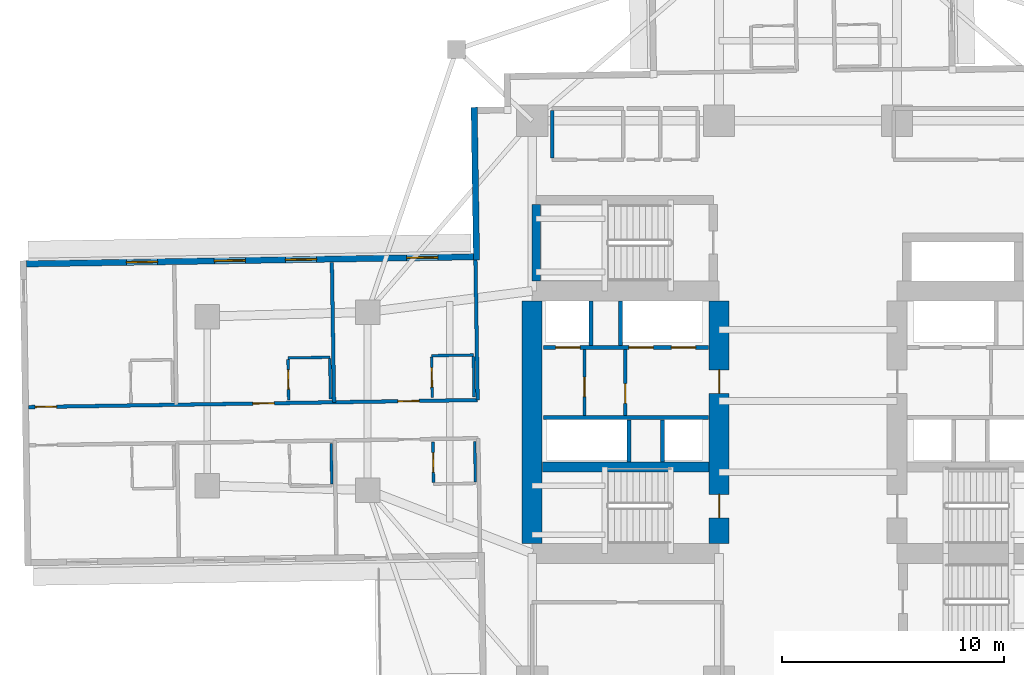
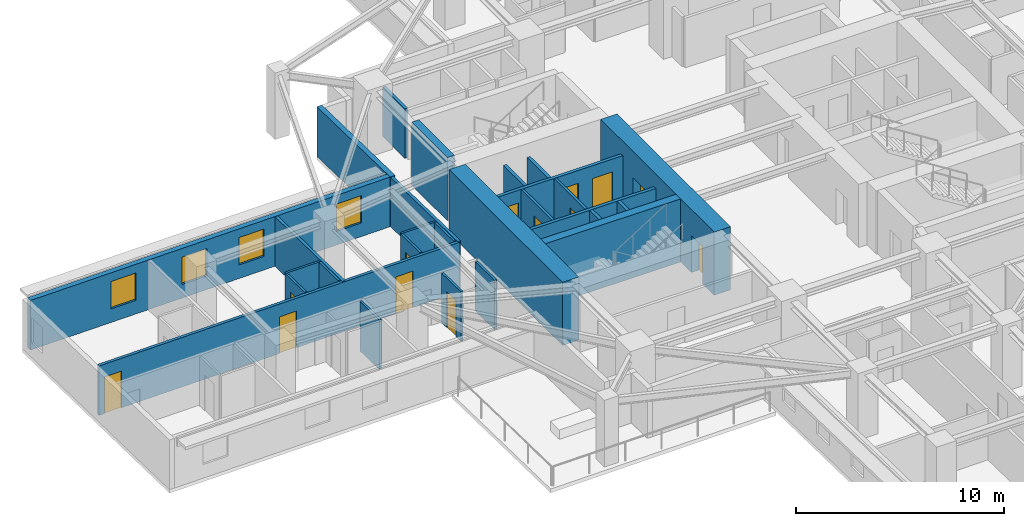
# One storey, part 5 of 14: 27 walls, 13 doors, 4 windows, 17 openings.
"""IFC4 building model written with IfcOpenShell, lengths in metres."""

from ifc_helpers import new_model, si_unit, direction, frame, frame_2d, origin, place, context, subcontext, project, spatial, rectangle, extrude, material, layer, layer_set, type_object, element, fill, save


model = new_model("IFC4")

# Units and contexts
model_context = context("Model", 3, precision=1e-05, world=origin(), true_north=direction((0.0, 1.0)))
body_context = subcontext(model_context, "Body", "Model", "MODEL_VIEW")
ifc_project = project(units=[si_unit("LENGTHUNIT", "METRE"), si_unit("AREAUNIT", "SQUARE_METRE"), si_unit("VOLUMEUNIT", "CUBIC_METRE"), si_unit("PLANEANGLEUNIT", "RADIAN"), si_unit("MASSUNIT", "GRAM", prefix="KILO")], contexts=[model_context])

# Site, building, storey
site_placement = place(None, origin())
site = spatial("IfcSite", under=ifc_project, at=site_placement, CompositionType="ELEMENT")
building_placement = place(site_placement, origin())
building = spatial("IfcBuilding", under=site, at=building_placement, Name="Qingluan Cross Belvedere", CompositionType="ELEMENT")
storey_placement = place(building_placement, frame((0.0, 0.0, 60.0)))
storey = spatial("IfcBuildingStorey", under=building, at=storey_placement, Name="L15", CompositionType="ELEMENT", Elevation=60.0)

# Walls
ifc_material_1 = material(Name="Concrete C50", Category="concrete")
ifc_layer_1 = layer(ifc_material_1, 0.449951171875, Name="CoreShearWall_450")
ifc_layer_set_1 = layer_set([ifc_layer_1], Name="Concrete C50")
wall_type_1 = type_object("IfcWallType", Name="CoreShearWall_450", PredefinedType="SHEAR", material=ifc_layer_set_1)
wall_1_placement = place(storey_placement, frame((-11.945068359375, -2.9599609375, 0.0), z_axis=(0.0, 0.0, 1.0), x_axis=(1.0, 0.0, 0.0)))
element("IfcWall", 1, at=wall_1_placement, inside=storey, type_object=wall_type_1, Name="Split core W shear wall L15-M", PredefinedType="SHEAR", context=body_context, shape_type="SweptSolid", body=[
    extrude(rectangle(XDim=7.489990234375, YDim=0.449951171875, at=frame_2d((3.7451171875, 0.0))), origin(), (0.0, 0.0, 1.0), 3.699951171875),
])
wall_2_placement = place(storey_placement, frame((-12.219970703125, 5.405029296875, 0.0), z_axis=(0.0, 0.0, 1.0), x_axis=(0.0, 1.0, 0.0)))
element("IfcWall", 2, at=wall_2_placement, inside=storey, type_object=wall_type_1, Name="Stair ST3 structural wall W L15", PredefinedType="SHEAR", context=body_context, shape_type="SweptSolid", body=[
    extrude(rectangle(XDim=3.429931640625, YDim=0.39990234375, at=frame_2d((1.71484375, 0.0))), origin(), (0.0, 0.0, 1.0), 3.699951171875),
])
ifc_material_2 = material(Name="Concrete C70", Category="concrete")
ifc_layer_2 = layer(ifc_material_2, 0.89990234375, Name="CoreShearWall_900")
ifc_layer_set_2 = layer_set([ifc_layer_2], Name="Concrete C70")
wall_type_2 = type_object("IfcWallType", Name="CoreShearWall_900", PredefinedType="SHEAR", material=ifc_layer_set_2)
wall_3_placement = place(storey_placement, frame((-12.39990234375, -6.39501953125, 0.0), z_axis=(0.0, 0.0, 1.0), x_axis=(0.0, 1.0, 0.0)))
element("IfcWall", 3, at=wall_3_placement, inside=storey, type_object=wall_type_2, Name="Split core W shear wall L15-W", PredefinedType="SHEAR", context=body_context, shape_type="SweptSolid", body=[
    extrude(rectangle(XDim=10.89013671875, YDim=0.89990234375, at=frame_2d((5.445068359375, 0.0))), origin(), (0.0, 0.0, 1.0), 3.699951171875),
])

# Wall, openings, doors
wall_4_placement = place(storey_placement, frame((-4.0, -6.39501953125, 0.0), z_axis=(0.0, 0.0, 1.0), x_axis=(0.0, 1.0, 0.0)))
wall_4 = element("IfcWall", 4, at=wall_4_placement, inside=storey, type_object=wall_type_2, Name="Split core W shear wall L15-E", PredefinedType="SHEAR", context=body_context, shape_type="SweptSolid", body=[
    extrude(rectangle(XDim=10.89013671875, YDim=0.89990234375, at=frame_2d((5.445068359375, 0.0))), origin(), (0.0, 0.0, 1.0), 3.699951171875),
])
opening_1_placement = place(wall_4_placement, frame((1.14501953125, 0.0, 0.0)))
opening_1 = element("IfcOpeningElement", 5, at=opening_1_placement, cuts=wall_4, Name="Opening FD-B11", PredefinedType="OPENING", context=body_context, shape_type="SweptSolid", body=[
    extrude(rectangle(XDim=1.050048828125, YDim=2.14990234375, at=frame_2d((0.52490234375, 1.074951171875))), frame((0.0, 0.4599609375, 0.0), z_axis=(0.0, -1.0, 0.0), x_axis=(1.0, 0.0, 0.0)), (0.0, 0.0, 1.0), 0.919921875),
])
opening_2_placement = place(wall_4_placement, frame((6.7451171875, 0.0, 0.0)))
opening_2 = element("IfcOpeningElement", 6, at=opening_2_placement, cuts=wall_4, Name="Opening FD-B11", PredefinedType="OPENING", context=body_context, shape_type="SweptSolid", body=[
    extrude(rectangle(XDim=1.050048828125, YDim=2.14990234375, at=frame_2d((0.52490234375, 1.074951171875))), frame((0.0, 0.4599609375, 0.0), z_axis=(0.0, -1.0, 0.0), x_axis=(1.0, 0.0, 0.0)), (0.0, 0.0, 1.0), 0.919921875),
])
ifc_material_3 = material(Name="Steel Class B smoke-seal fire door", Category="steel")
door_type_1 = type_object("IfcDoorType", Name="StairLobbyFireDoor_FDB", OperationType="NOTDEFINED", PredefinedType="DOOR", material=ifc_material_3)
door_1_placement = place(opening_1_placement, origin())
door_1 = element("IfcDoor", 7, at=door_1_placement, inside=storey, type_object=door_type_1, Name="Smoke-proof stair ST1 fire door L15", OperationType="SINGLE_SWING_RIGHT", OverallHeight=2.14990234375, OverallWidth=1.050048828125, PredefinedType="DOOR", context=body_context, shape_type="SweptSolid", body=[
    extrude(rectangle(XDim=1.050048828125, YDim=2.14990234375, at=frame_2d((0.52490234375, 1.074951171875))), frame((0.0, 0.02490234375, 0.0), z_axis=(0.0, -1.0, 0.0), x_axis=(1.0, 0.0, 0.0)), (0.0, 0.0, 1.0), 0.050048828125),
])
fill(opening_1, door_1)
door_2_placement = place(opening_2_placement, origin())
door_2 = element("IfcDoor", 8, at=door_2_placement, inside=storey, type_object=door_type_1, Name="Firefighting lobby West fire door L15", OperationType="SINGLE_SWING_RIGHT", OverallHeight=2.14990234375, OverallWidth=1.050048828125, PredefinedType="DOOR", context=body_context, shape_type="SweptSolid", body=[
    extrude(rectangle(XDim=1.050048828125, YDim=2.14990234375, at=frame_2d((0.52490234375, 1.074951171875))), frame((0.0, 0.02490234375, 0.0), z_axis=(0.0, -1.0, 0.0), x_axis=(1.0, 0.0, 0.0)), (0.0, 0.0, 1.0), 0.050048828125),
])
fill(opening_2, door_2)

# Wall, opening, door
ifc_material_4 = material(Name="Gypsum plasterboard on steel stud acoustic partition", Category="steel")
ifc_layer_3 = layer(ifc_material_4, 0.159912109375, Name="CorridorPartition_160")
ifc_layer_set_3 = layer_set([ifc_layer_3], Name="Gypsum plasterboard on steel stud acoustic partition")
wall_type_3 = type_object("IfcWallType", Name="CorridorPartition_160", PredefinedType="PARTITIONING", material=ifc_layer_set_3)
wall_5_placement = place(storey_placement, frame((-10.050048828125, -0.652099609375, 0.0), z_axis=(0.0, 0.0, 1.0), x_axis=(0.0, 1.0, 0.0)))
wall_5 = element("IfcWall", 9, at=wall_5_placement, inside=storey, type_object=wall_type_3, Name="Partition L15:wv", PredefinedType="PARTITIONING", context=body_context, shape_type="SweptSolid", body=[
    extrude(rectangle(XDim=2.962158203125, YDim=0.139892578125, at=frame_2d((1.48095703125, 0.0))), origin(), (0.0, 0.0, 1.0), 2.89990234375),
])
opening_3_placement = place(wall_5_placement, frame((0.85009765625, 0.0, 0.0)))
opening_3 = element("IfcOpeningElement", 10, at=opening_3_placement, cuts=wall_5, Name="Opening FD-B10", PredefinedType="OPENING", context=body_context, shape_type="SweptSolid", body=[
    extrude(rectangle(XDim=0.8798828125, YDim=2.10009765625, at=frame_2d((0.43994140625, 1.050048828125))), frame((0.0, 0.079833984375, 0.0), z_axis=(0.0, -1.0, 0.0), x_axis=(1.0, 0.0, 0.0)), (0.0, 0.0, 1.0), 0.159912109375),
])
ifc_material_5 = material(Name="Steel Class B service fire door", Category="steel")
door_type_2 = type_object("IfcDoorType", Name="RiserServiceFireDoor_FDB", OperationType="NOTDEFINED", PredefinedType="DOOR", material=ifc_material_5)
door_3_placement = place(opening_3_placement, origin())
door_3 = element("IfcDoor", 11, at=door_3_placement, inside=storey, type_object=door_type_2, Name="Service closet inner door L15", OperationType="SINGLE_SWING_RIGHT", OverallHeight=2.10009765625, OverallWidth=0.8798828125, PredefinedType="DOOR", context=body_context, shape_type="SweptSolid", body=[
    extrude(rectangle(XDim=0.8798828125, YDim=2.10009765625, at=frame_2d((0.43994140625, 1.050048828125))), frame((0.0, 0.02490234375, 0.0), z_axis=(0.0, -1.0, 0.0), x_axis=(1.0, 0.0, 0.0)), (0.0, 0.0, 1.0), 0.050048828125),
])
fill(opening_3, door_3)

# Wall
wall_6_placement = place(storey_placement, frame((-11.5, 10.93505859375, 0.0), z_axis=(0.0, 0.0, 1.0), x_axis=(0.0, 1.0, 0.0)))
element("IfcWall", 12, at=wall_6_placement, inside=storey, type_object=wall_type_3, Name="Partition L15:q_nw_occ:W", PredefinedType="PARTITIONING", context=body_context, shape_type="SweptSolid", body=[
    extrude(rectangle(XDim=2.1298828125, YDim=0.159912109375, at=frame_2d((1.06494140625, 0.0))), origin(), (0.0, 0.0, 1.0), 2.89990234375),
])

# Wall, openings, doors
wall_7_placement = place(storey_placement, frame((-14.8525390625, 0.046630859375, 0.0), z_axis=(0.0, 0.0, 1.0), x_axis=(-0.999876717676, -0.015701893165, 0.0)))
wall_7 = element("IfcWall", 13, at=wall_7_placement, inside=storey, type_object=wall_type_3, Name="Partition L15:W:c0", PredefinedType="PARTITIONING", context=body_context, shape_type="SweptSolid", body=[
    extrude(rectangle(XDim=20.181884765625, YDim=0.159912109375, at=frame_2d((10.0908203125, 0.0))), origin(), (0.0, 0.0, 1.0), 2.89990234375),
])
opening_4_placement = place(wall_7_placement, frame((2.6259765625, 0.0, 0.0)))
opening_4 = element("IfcOpeningElement", 14, at=opening_4_placement, cuts=wall_7, Name="Opening GD-10", PredefinedType="OPENING", context=body_context, shape_type="SweptSolid", body=[
    extrude(rectangle(XDim=0.9599609375, YDim=2.14990234375, at=frame_2d((0.47998046875, 1.074951171875))), frame((0.0, 0.08984375, 0.0), z_axis=(0.0, -1.0, 0.0), x_axis=(1.0, 0.0, 0.0)), (0.0, 0.0, 1.0), 0.179931640625),
])
opening_5_placement = place(wall_7_placement, frame((9.14306640625, 0.0, 0.0)))
opening_5 = element("IfcOpeningElement", 15, at=opening_5_placement, cuts=wall_7, Name="Opening GD-10", PredefinedType="OPENING", context=body_context, shape_type="SweptSolid", body=[
    extrude(rectangle(XDim=0.9599609375, YDim=2.14990234375, at=frame_2d((0.47998046875, 1.074951171875))), frame((0.0, 0.08984375, 0.0), z_axis=(0.0, -1.0, 0.0), x_axis=(1.0, 0.0, 0.0)), (0.0, 0.0, 1.0), 0.179931640625),
])
opening_6_placement = place(wall_7_placement, frame((18.929931640625, 0.0, 0.0)))
opening_6 = element("IfcOpeningElement", 16, at=opening_6_placement, cuts=wall_7, Name="Opening GD-10", PredefinedType="OPENING", context=body_context, shape_type="SweptSolid", body=[
    extrude(rectangle(XDim=0.9599609375, YDim=2.14990234375, at=frame_2d((0.47998046875, 1.074951171875))), frame((0.0, 0.08984375, 0.0), z_axis=(0.0, -1.0, 0.0), x_axis=(1.0, 0.0, 0.0)), (0.0, 0.0, 1.0), 0.179931640625),
])
ifc_material_6 = material(Name="Timber oak fire-rated acoustic guestroom door", Category="wood")
door_type_3 = type_object("IfcDoorType", Name="GuestEntryDoor_FD60", OperationType="NOTDEFINED", PredefinedType="DOOR", material=ifc_material_6)
door_4_placement = place(opening_4_placement, origin())
door_4 = element("IfcDoor", 17, at=door_4_placement, inside=storey, type_object=door_type_3, Name="Guest entry fire door 1507", OperationType="SINGLE_SWING_LEFT", OverallHeight=2.14990234375, OverallWidth=0.9599609375, PredefinedType="DOOR", context=body_context, shape_type="SweptSolid", body=[
    extrude(rectangle(XDim=0.9599609375, YDim=2.14990234375, at=frame_2d((0.47998046875, 1.074951171875))), frame((0.0, 0.02490234375, 0.0), z_axis=(0.0, -1.0, 0.0), x_axis=(1.0, 0.0, 0.0)), (0.0, 0.0, 1.0), 0.050048828125),
])
fill(opening_4, door_4)
door_5_placement = place(opening_5_placement, origin())
door_5 = element("IfcDoor", 18, at=door_5_placement, inside=storey, type_object=door_type_3, Name="Guest entry fire door 1508", OperationType="SINGLE_SWING_LEFT", OverallHeight=2.14990234375, OverallWidth=0.9599609375, PredefinedType="DOOR", context=body_context, shape_type="SweptSolid", body=[
    extrude(rectangle(XDim=0.9599609375, YDim=2.14990234375, at=frame_2d((0.47998046875, 1.074951171875))), frame((0.0, 0.02490234375, 0.0), z_axis=(0.0, -1.0, 0.0), x_axis=(1.0, 0.0, 0.0)), (0.0, 0.0, 1.0), 0.050048828125),
])
fill(opening_5, door_5)
door_6_placement = place(opening_6_placement, origin())
door_6 = element("IfcDoor", 19, at=door_6_placement, inside=storey, type_object=door_type_3, Name="Guest entry fire door 1509", OperationType="SINGLE_SWING_LEFT", OverallHeight=2.14990234375, OverallWidth=0.9599609375, PredefinedType="DOOR", context=body_context, shape_type="SweptSolid", body=[
    extrude(rectangle(XDim=0.9599609375, YDim=2.14990234375, at=frame_2d((0.47998046875, 1.074951171875))), frame((0.0, 0.02490234375, 0.0), z_axis=(0.0, -1.0, 0.0), x_axis=(1.0, 0.0, 0.0)), (0.0, 0.0, 1.0), 0.050048828125),
])
fill(opening_6, door_6)

# Walls
for number, where, z_axis, x_axis, name in (
    (20, (-14.8525390625, 0.046630859375, 0.0), (0.0, 0.0, 1.0), (-0.01571461794, 0.999876517768, 0.0), "Partition L15:W:s0"),
    (21, (-21.306884765625, -0.0546875, 0.0), (0.0, 0.0, 1.0), (-0.015675825961, 0.999877126691, 0.0), "Partition L15:W:d0_0"),
):
    element("IfcWall", number, at=place(storey_placement, frame(where, z_axis=z_axis, x_axis=x_axis)), inside=storey, type_object=wall_type_3, Name=name, PredefinedType="PARTITIONING", context=body_context, shape_type="SweptSolid", body=[
        extrude(rectangle(XDim=6.2919921875, YDim=0.159912109375, at=frame_2d((3.14599609375, 0.0))), origin(), (0.0, 0.0, 1.0), 2.89990234375),
    ])

# Wall, opening, door
ifc_material_7 = material(Name="Moisture-resistant gypsum board lining")
ifc_layer_4 = layer(ifc_material_7, 0.1201171875, Name="EnsuiteWetPartition_120")
ifc_layer_set_4 = layer_set([ifc_layer_4], Name="Moisture-resistant gypsum board lining")
wall_type_4 = type_object("IfcWallType", Name="EnsuiteWetPartition_120", PredefinedType="PARTITIONING", material=ifc_layer_set_4)
wall_8_placement = place(storey_placement, frame((-16.89453125, 0.15478515625, 0.0), z_axis=(0.0, 0.0, 1.0), x_axis=(-0.015696442504, 0.999876803258, 0.0)))
wall_8 = element("IfcWall", 22, at=wall_8_placement, inside=storey, type_object=wall_type_4, Name="Partition L15:W:bs0_0", PredefinedType="PARTITIONING", context=body_context, shape_type="SweptSolid", body=[
    extrude(rectangle(XDim=1.81982421875, YDim=0.1201171875, at=frame_2d((0.909912109375, 0.0))), origin(), (0.0, 0.0, 1.0), 2.89990234375),
])
opening_7_placement = place(wall_8_placement, frame((0.469970703125, 0.0, 0.0)))
opening_7 = element("IfcOpeningElement", 23, at=opening_7_placement, cuts=wall_8, Name="Opening BD-09", PredefinedType="OPENING", context=body_context, shape_type="SweptSolid", body=[
    extrude(rectangle(XDim=0.8798828125, YDim=2.10009765625, at=frame_2d((0.43994140625, 1.050048828125))), frame((0.0, 0.070068359375, 0.0), z_axis=(0.0, -1.0, 0.0), x_axis=(1.0, 0.0, 0.0)), (0.0, 0.0, 1.0), 0.14013671875),
])
ifc_material_8 = material(Name="Moisture-sealed timber en-suite door", Category="wood")
door_type_4 = type_object("IfcDoorType", Name="BathroomDoor_880", OperationType="NOTDEFINED", PredefinedType="DOOR", material=ifc_material_8)
door_7_placement = place(opening_7_placement, origin())
door_7 = element("IfcDoor", 24, at=door_7_placement, inside=storey, type_object=door_type_4, Name="Bathroom door 1507", OperationType="SINGLE_SWING_RIGHT", OverallHeight=2.10009765625, OverallWidth=0.8798828125, PredefinedType="DOOR", context=body_context, shape_type="SweptSolid", body=[
    extrude(rectangle(XDim=0.8798828125, YDim=2.10009765625, at=frame_2d((0.43994140625, 1.050048828125))), frame((0.0, 0.02490234375, 0.0), z_axis=(0.0, -1.0, 0.0), x_axis=(1.0, 0.0, 0.0)), (0.0, 0.0, 1.0), 0.050048828125),
])
fill(opening_7, door_7)

# Walls
wall_9_placement = place(storey_placement, frame((-15.0146484375, 0.18408203125, 0.0), z_axis=(0.0, 0.0, 1.0), x_axis=(-0.015694337248, 0.999876836305, 0.0)))
element("IfcWall", 25, at=wall_9_placement, inside=storey, type_object=wall_type_4, Name="Partition L15:W:bw0_0", PredefinedType="PARTITIONING", context=body_context, shape_type="SweptSolid", body=[
    extrude(rectangle(XDim=1.820068359375, YDim=0.1201171875, at=frame_2d((0.91015625, 0.0))), origin(), (0.0, 0.0, 1.0), 2.89990234375),
])
wall_10_placement = place(storey_placement, frame((-15.04443359375, 2.06884765625, 0.0), z_axis=(0.0, 0.0, 1.0), x_axis=(-0.99987652141, -0.015714386166, 0.0)))
element("IfcWall", 26, at=wall_10_placement, inside=storey, type_object=wall_type_4, Name="Partition L15:W:bn0_0", PredefinedType="PARTITIONING", context=body_context, shape_type="SweptSolid", body=[
    extrude(rectangle(XDim=1.8798828125, YDim=0.1201171875, at=frame_2d((0.93994140625, 0.0))), origin(), (0.0, 0.0, 1.0), 2.89990234375),
])

# Wall, opening, door
wall_11_placement = place(storey_placement, frame((-23.3486328125, 0.05322265625, 0.0), z_axis=(0.0, 0.0, 1.0), x_axis=(-0.015694337248, 0.999876836305, 0.0)))
wall_11 = element("IfcWall", 27, at=wall_11_placement, inside=storey, type_object=wall_type_4, Name="Partition L15:W:bs0_1", PredefinedType="PARTITIONING", context=body_context, shape_type="SweptSolid", body=[
    extrude(rectangle(XDim=1.820068359375, YDim=0.1201171875, at=frame_2d((0.91015625, 0.0))), origin(), (0.0, 0.0, 1.0), 2.89990234375),
])
opening_8_placement = place(wall_11_placement, frame((0.469970703125, 0.0, 0.0)))
opening_8 = element("IfcOpeningElement", 28, at=opening_8_placement, cuts=wall_11, Name="Opening BD-09", PredefinedType="OPENING", context=body_context, shape_type="SweptSolid", body=[
    extrude(rectangle(XDim=0.8798828125, YDim=2.10009765625, at=frame_2d((0.43994140625, 1.050048828125))), frame((0.0, 0.070068359375, 0.0), z_axis=(0.0, -1.0, 0.0), x_axis=(1.0, 0.0, 0.0)), (0.0, 0.0, 1.0), 0.14013671875),
])
door_8_placement = place(opening_8_placement, origin())
door_8 = element("IfcDoor", 29, at=door_8_placement, inside=storey, type_object=door_type_4, Name="Bathroom door 1508", OperationType="SINGLE_SWING_RIGHT", OverallHeight=2.10009765625, OverallWidth=0.8798828125, PredefinedType="DOOR", context=body_context, shape_type="SweptSolid", body=[
    extrude(rectangle(XDim=0.8798828125, YDim=2.10009765625, at=frame_2d((0.43994140625, 1.050048828125))), frame((0.0, 0.02490234375, 0.0), z_axis=(0.0, -1.0, 0.0), x_axis=(1.0, 0.0, 0.0)), (0.0, 0.0, 1.0), 0.050048828125),
])
fill(opening_8, door_8)

# Walls
wall_12_placement = place(storey_placement, frame((-21.468994140625, 0.082763671875, 0.0), z_axis=(0.0, 0.0, 1.0), x_axis=(-0.015694337248, 0.999876836305, 0.0)))
element("IfcWall", 30, at=wall_12_placement, inside=storey, type_object=wall_type_4, Name="Partition L15:W:bw0_1", PredefinedType="PARTITIONING", context=body_context, shape_type="SweptSolid", body=[
    extrude(rectangle(XDim=1.820068359375, YDim=0.1201171875, at=frame_2d((0.91015625, 0.0))), origin(), (0.0, 0.0, 1.0), 2.89990234375),
])
wall_13_placement = place(storey_placement, frame((-21.49853515625, 1.967529296875, 0.0), z_axis=(0.0, 0.0, 1.0), x_axis=(-0.999876553475, -0.01571234584, 0.0)))
element("IfcWall", 31, at=wall_13_placement, inside=storey, type_object=wall_type_4, Name="Partition L15:W:bn0_1", PredefinedType="PARTITIONING", context=body_context, shape_type="SweptSolid", body=[
    extrude(rectangle(XDim=1.880126953125, YDim=0.1201171875, at=frame_2d((0.93994140625, 0.0))), origin(), (0.0, 0.0, 1.0), 2.89990234375),
])

# Wall, opening, door
wall_14_placement = place(storey_placement, frame((-16.83447265625, -3.664794921875, 0.0), z_axis=(0.0, 0.0, 1.0), x_axis=(-0.015696442504, 0.999876803258, 0.0)))
wall_14 = element("IfcWall", 32, at=wall_14_placement, inside=storey, type_object=wall_type_4, Name="Partition L15:W:bs1_0", PredefinedType="PARTITIONING", context=body_context, shape_type="SweptSolid", body=[
    extrude(rectangle(XDim=1.81982421875, YDim=0.1201171875, at=frame_2d((0.909912109375, 0.0))), origin(), (0.0, 0.0, 1.0), 2.89990234375),
])
opening_9_placement = place(wall_14_placement, frame((0.469970703125, 0.0, 0.0)))
opening_9 = element("IfcOpeningElement", 33, at=opening_9_placement, cuts=wall_14, Name="Opening BD-09", PredefinedType="OPENING", context=body_context, shape_type="SweptSolid", body=[
    extrude(rectangle(XDim=0.8798828125, YDim=2.10009765625, at=frame_2d((0.43994140625, 1.050048828125))), frame((0.0, 0.070068359375, 0.0), z_axis=(0.0, -1.0, 0.0), x_axis=(1.0, 0.0, 0.0)), (0.0, 0.0, 1.0), 0.14013671875),
])
door_9_placement = place(opening_9_placement, origin())
door_9 = element("IfcDoor", 34, at=door_9_placement, inside=storey, type_object=door_type_4, Name="Bathroom door 1510", OperationType="SINGLE_SWING_RIGHT", OverallHeight=2.10009765625, OverallWidth=0.8798828125, PredefinedType="DOOR", context=body_context, shape_type="SweptSolid", body=[
    extrude(rectangle(XDim=0.8798828125, YDim=2.10009765625, at=frame_2d((0.43994140625, 1.050048828125))), frame((0.0, 0.02490234375, 0.0), z_axis=(0.0, -1.0, 0.0), x_axis=(1.0, 0.0, 0.0)), (0.0, 0.0, 1.0), 0.050048828125),
])
fill(opening_9, door_9)

# Walls
wall_15_placement = place(storey_placement, frame((-14.95458984375, -3.63525390625, 0.0), z_axis=(0.0, 0.0, 1.0), x_axis=(-0.015830566654, 0.999874688728, 0.0)))
element("IfcWall", 35, at=wall_15_placement, inside=storey, type_object=wall_type_4, Name="Partition L15:W:bw1_0", PredefinedType="PARTITIONING", context=body_context, shape_type="SweptSolid", body=[
    extrude(rectangle(XDim=1.81982421875, YDim=0.1201171875, at=frame_2d((0.909912109375, 0.0))), origin(), (0.0, 0.0, 1.0), 2.89990234375),
])
wall_16_placement = place(storey_placement, frame((-21.408935546875, -3.73681640625, 0.0), z_axis=(0.0, 0.0, 1.0), x_axis=(-0.015694337248, 0.999876836305, 0.0)))
element("IfcWall", 36, at=wall_16_placement, inside=storey, type_object=wall_type_4, Name="Partition L15:W:bw1_1", PredefinedType="PARTITIONING", context=body_context, shape_type="SweptSolid", body=[
    extrude(rectangle(XDim=1.820068359375, YDim=0.1201171875, at=frame_2d((0.91015625, 0.0))), origin(), (0.0, 0.0, 1.0), 2.89990234375),
])

# Wall, openings, windows
ifc_material_9 = material(Name="Precast concrete C45", Category="concrete")
ifc_layer_5 = layer(ifc_material_9, 0.280029296875, Name="PrecastFacadeWall_280")
ifc_layer_set_5 = layer_set([ifc_layer_5], Name="Precast concrete C45")
wall_type_5 = type_object("IfcWallType", Name="PrecastFacadeWall_280", PredefinedType="STANDARD", material=ifc_layer_set_5)
wall_17_placement = place(storey_placement, frame((-15.043701171875, 6.484619140625, 0.0), z_axis=(0.0, 0.0, 1.0), x_axis=(-0.999876474133, -0.01571739401, 0.0)))
wall_17 = element("IfcWall", 37, at=wall_17_placement, inside=storey, type_object=wall_type_5, Name="Facade wall L15-WA", PredefinedType="STANDARD", context=body_context, shape_type="SweptSolid", body=[
    extrude(rectangle(XDim=20.099853515625, YDim=0.280029296875, at=frame_2d((10.0498046875, 0.0))), origin(), (0.0, 0.0, 1.0), 2.909912109375),
])
opening_10_placement = place(wall_17_placement, frame((1.60009765625, 0.0, 0.800048828125)))
opening_10 = element("IfcOpeningElement", 38, at=opening_10_placement, cuts=wall_17, Name="Opening W-01", PredefinedType="OPENING", context=body_context, shape_type="SweptSolid", body=[
    extrude(rectangle(XDim=1.39990234375, YDim=1.60009765625, at=frame_2d((0.699951171875, 0.800048828125))), frame((0.0, 0.14990234375, 0.0), z_axis=(0.0, -1.0, 0.0), x_axis=(1.0, 0.0, 0.0)), (0.0, 0.0, 1.0), 0.300048828125),
])
opening_11_placement = place(wall_17_placement, frame((7.050048828125, 0.0, 0.800048828125)))
opening_11 = element("IfcOpeningElement", 39, at=opening_11_placement, cuts=wall_17, Name="Opening W-01", PredefinedType="OPENING", context=body_context, shape_type="SweptSolid", body=[
    extrude(rectangle(XDim=1.39990234375, YDim=1.60009765625, at=frame_2d((0.699951171875, 0.800048828125))), frame((0.0, 0.14990234375, 0.0), z_axis=(0.0, -1.0, 0.0), x_axis=(1.0, 0.0, 0.0)), (0.0, 0.0, 1.0), 0.300048828125),
])
opening_12_placement = place(wall_17_placement, frame((10.25, 0.0, 0.800048828125)))
opening_12 = element("IfcOpeningElement", 40, at=opening_12_placement, cuts=wall_17, Name="Opening W-01", PredefinedType="OPENING", context=body_context, shape_type="SweptSolid", body=[
    extrude(rectangle(XDim=1.39990234375, YDim=1.60009765625, at=frame_2d((0.699951171875, 0.800048828125))), frame((0.0, 0.14990234375, 0.0), z_axis=(0.0, -1.0, 0.0), x_axis=(1.0, 0.0, 0.0)), (0.0, 0.0, 1.0), 0.300048828125),
])
opening_13_placement = place(wall_17_placement, frame((14.199951171875, 0.0, 0.800048828125)))
opening_13 = element("IfcOpeningElement", 41, at=opening_13_placement, cuts=wall_17, Name="Opening W-01", PredefinedType="OPENING", context=body_context, shape_type="SweptSolid", body=[
    extrude(rectangle(XDim=1.39990234375, YDim=1.60009765625, at=frame_2d((0.699951171875, 0.800048828125))), frame((0.0, 0.14990234375, 0.0), z_axis=(0.0, -1.0, 0.0), x_axis=(1.0, 0.0, 0.0)), (0.0, 0.0, 1.0), 0.300048828125),
])
ifc_material_10 = material(Name="Thermally broken triple Low-E glass in aluminium frame", Category="aluminium")
window_type = type_object("IfcWindowType", Name="TriRibbonWin_1400x1600", PartitioningType="SINGLE_PANEL", PredefinedType="WINDOW", material=ifc_material_10)
window_1_placement = place(opening_10_placement, origin())
window_1 = element("IfcWindow", 42, at=window_1_placement, inside=storey, type_object=window_type, Name="Ribbon window L15-WA-1", OverallHeight=1.60009765625, OverallWidth=1.39990234375, PartitioningType="SINGLE_PANEL", PredefinedType="WINDOW", context=body_context, shape_type="SweptSolid", body=[
    extrude(rectangle(XDim=1.39990234375, YDim=1.60009765625, at=frame_2d((0.699951171875, 0.800048828125))), frame((0.0, 0.030029296875, 0.0), z_axis=(0.0, -1.0, 0.0), x_axis=(1.0, 0.0, 0.0)), (0.0, 0.0, 1.0), 0.06005859375),
])
fill(opening_10, window_1)
window_2_placement = place(opening_11_placement, origin())
window_2 = element("IfcWindow", 43, at=window_2_placement, inside=storey, type_object=window_type, Name="Ribbon window L15-WA-2", OverallHeight=1.60009765625, OverallWidth=1.39990234375, PartitioningType="SINGLE_PANEL", PredefinedType="WINDOW", context=body_context, shape_type="SweptSolid", body=[
    extrude(rectangle(XDim=1.39990234375, YDim=1.60009765625, at=frame_2d((0.699951171875, 0.800048828125))), frame((0.0, 0.030029296875, 0.0), z_axis=(0.0, -1.0, 0.0), x_axis=(1.0, 0.0, 0.0)), (0.0, 0.0, 1.0), 0.06005859375),
])
fill(opening_11, window_2)
window_3_placement = place(opening_12_placement, origin())
window_3 = element("IfcWindow", 44, at=window_3_placement, inside=storey, type_object=window_type, Name="Ribbon window L15-WA-3", OverallHeight=1.60009765625, OverallWidth=1.39990234375, PartitioningType="SINGLE_PANEL", PredefinedType="WINDOW", context=body_context, shape_type="SweptSolid", body=[
    extrude(rectangle(XDim=1.39990234375, YDim=1.60009765625, at=frame_2d((0.699951171875, 0.800048828125))), frame((0.0, 0.030029296875, 0.0), z_axis=(0.0, -1.0, 0.0), x_axis=(1.0, 0.0, 0.0)), (0.0, 0.0, 1.0), 0.06005859375),
])
fill(opening_12, window_3)
window_4_placement = place(opening_13_placement, origin())
window_4 = element("IfcWindow", 45, at=window_4_placement, inside=storey, type_object=window_type, Name="Ribbon window L15-WA-4", OverallHeight=1.60009765625, OverallWidth=1.39990234375, PartitioningType="SINGLE_PANEL", PredefinedType="WINDOW", context=body_context, shape_type="SweptSolid", body=[
    extrude(rectangle(XDim=1.39990234375, YDim=1.60009765625, at=frame_2d((0.699951171875, 0.800048828125))), frame((0.0, 0.030029296875, 0.0), z_axis=(0.0, -1.0, 0.0), x_axis=(1.0, 0.0, 0.0)), (0.0, 0.0, 1.0), 0.06005859375),
])
fill(opening_13, window_4)

# Wall
wall_18_placement = place(storey_placement, frame((-14.901611328125, 6.3466796875, 0.0), z_axis=(0.0, 0.0, 1.0), x_axis=(-0.015694809807, 0.999876828887, 0.0)))
element("IfcWall", 46, at=wall_18_placement, inside=storey, type_object=wall_type_5, Name="Corner wall L15-NW1", PredefinedType="STANDARD", context=body_context, shape_type="SweptSolid", body=[
    extrude(rectangle(XDim=6.85986328125, YDim=0.280029296875, at=frame_2d((3.429931640625, 0.0))), origin(), (0.0, 0.0, 1.0), 2.909912109375),
])

# Wall, openings, doors
ifc_material_11 = material(Name="Concrete C40", Category="concrete")
ifc_layer_6 = layer(ifc_material_11, 0.219970703125, Name="ShaftEnclosureWall_250")
ifc_layer_set_6 = layer_set([ifc_layer_6], Name="Concrete C40")
wall_type_6 = type_object("IfcWallType", Name="ShaftEnclosureWall_250", PredefinedType="SOLIDWALL", material=ifc_layer_set_6)
wall_19_placement = place(storey_placement, frame((-11.89990234375, 2.409912109375, 0.0), z_axis=(0.0, 0.0, 1.0), x_axis=(1.0, 0.0, 0.0)))
wall_19 = element("IfcWall", 47, at=wall_19_placement, inside=storey, type_object=wall_type_6, Name="Core-W north hoistway wall L15", PredefinedType="SOLIDWALL", context=body_context, shape_type="SweptSolid", body=[
    extrude(rectangle(XDim=7.419921875, YDim=0.179931640625, at=frame_2d((3.7099609375, 0.0))), origin(), (0.0, 0.0, 1.0), 2.89990234375),
])
opening_14_placement = place(wall_19_placement, frame((0.550048828125, 0.0, 0.0)))
opening_14 = element("IfcOpeningElement", 48, at=opening_14_placement, cuts=wall_19, Name="Opening LD-11", PredefinedType="OPENING", context=body_context, shape_type="SweptSolid", body=[
    extrude(rectangle(XDim=1.10009765625, YDim=2.14990234375, at=frame_2d((0.550048828125, 1.074951171875))), frame((0.0, 0.099853515625, 0.0), z_axis=(0.0, -1.0, 0.0), x_axis=(1.0, 0.0, 0.0)), (0.0, 0.0, 1.0), 0.199951171875),
])
opening_15_placement = place(wall_19_placement, frame((3.85009765625, 0.0, 0.0)))
opening_15 = element("IfcOpeningElement", 49, at=opening_15_placement, cuts=wall_19, Name="Opening LD-11", PredefinedType="OPENING", context=body_context, shape_type="SweptSolid", body=[
    extrude(rectangle(XDim=1.10009765625, YDim=2.14990234375, at=frame_2d((0.550048828125, 1.074951171875))), frame((0.0, 0.099853515625, 0.0), z_axis=(0.0, -1.0, 0.0), x_axis=(1.0, 0.0, 0.0)), (0.0, 0.0, 1.0), 0.199951171875),
])
opening_16_placement = place(wall_19_placement, frame((5.75, 0.0, 0.0)))
opening_16 = element("IfcOpeningElement", 50, at=opening_16_placement, cuts=wall_19, Name="Opening LD-11", PredefinedType="OPENING", context=body_context, shape_type="SweptSolid", body=[
    extrude(rectangle(XDim=1.10009765625, YDim=2.14990234375, at=frame_2d((0.550048828125, 1.074951171875))), frame((0.0, 0.099853515625, 0.0), z_axis=(0.0, -1.0, 0.0), x_axis=(1.0, 0.0, 0.0)), (0.0, 0.0, 1.0), 0.199951171875),
])
ifc_material_12 = material(Name="Brushed stainless steel centre-opening lift landing door", Category="steel")
door_type_5 = type_object("IfcDoorType", Name="LiftLandingSlidingDoor_1100", OperationType="DOUBLE_DOOR_SLIDING", PredefinedType="DOOR", material=ifc_material_12)
door_10_placement = place(opening_14_placement, origin())
door_10 = element("IfcDoor", 51, at=door_10_placement, inside=storey, type_object=door_type_5, Name="Lift landing sliding door FL1 L15", OperationType="DOUBLE_DOOR_SLIDING", OverallHeight=2.14990234375, OverallWidth=1.10009765625, PredefinedType="DOOR", context=body_context, shape_type="SweptSolid", body=[
    extrude(rectangle(XDim=1.10009765625, YDim=2.14990234375, at=frame_2d((0.550048828125, 1.074951171875))), frame((0.0, 0.02490234375, 0.0), z_axis=(0.0, -1.0, 0.0), x_axis=(1.0, 0.0, 0.0)), (0.0, 0.0, 1.0), 0.050048828125),
])
fill(opening_14, door_10)
door_11_placement = place(opening_15_placement, origin())
door_11 = element("IfcDoor", 52, at=door_11_placement, inside=storey, type_object=door_type_5, Name="Lift landing sliding door LP1 L15", OperationType="DOUBLE_DOOR_SLIDING", OverallHeight=2.14990234375, OverallWidth=1.10009765625, PredefinedType="DOOR", context=body_context, shape_type="SweptSolid", body=[
    extrude(rectangle(XDim=1.10009765625, YDim=2.14990234375, at=frame_2d((0.550048828125, 1.074951171875))), frame((0.0, 0.02490234375, 0.0), z_axis=(0.0, -1.0, 0.0), x_axis=(1.0, 0.0, 0.0)), (0.0, 0.0, 1.0), 0.050048828125),
])
fill(opening_15, door_11)
door_12_placement = place(opening_16_placement, origin())
door_12 = element("IfcDoor", 53, at=door_12_placement, inside=storey, type_object=door_type_5, Name="Lift landing sliding door LP2 L15", OperationType="DOUBLE_DOOR_SLIDING", OverallHeight=2.14990234375, OverallWidth=1.10009765625, PredefinedType="DOOR", context=body_context, shape_type="SweptSolid", body=[
    extrude(rectangle(XDim=1.10009765625, YDim=2.14990234375, at=frame_2d((0.550048828125, 1.074951171875))), frame((0.0, 0.02490234375, 0.0), z_axis=(0.0, -1.0, 0.0), x_axis=(1.0, 0.0, 0.0)), (0.0, 0.0, 1.0), 0.050048828125),
])
fill(opening_16, door_12)

# Walls
wall_20_placement = place(storey_placement, frame((-11.89990234375, -0.75, 0.0), z_axis=(0.0, 0.0, 1.0), x_axis=(1.0, 0.0, 0.0)))
element("IfcWall", 54, at=wall_20_placement, inside=storey, type_object=wall_type_6, Name="Core-W mid hoistway wall L15", PredefinedType="SOLIDWALL", context=body_context, shape_type="SweptSolid", body=[
    extrude(rectangle(XDim=7.419921875, YDim=0.179931640625, at=frame_2d((3.7099609375, 0.0))), origin(), (0.0, 0.0, 1.0), 2.89990234375),
])
for number, where, z_axis, x_axis, name in (
    (55, (-9.760009765625, 2.5, 0.0), (0.0, 0.0, 1.0), (0.0, 1.0, 0.0), "Hoistway enclosure divider FL1E L15"),
    (56, (-8.43994140625, 2.5, 0.0), (0.0, 0.0, 1.0), (0.0, 1.0, 0.0), "Hoistway enclosure divider LP1W L15"),
):
    element("IfcWall", number, at=place(storey_placement, frame(where, z_axis=z_axis, x_axis=x_axis)), inside=storey, type_object=wall_type_6, Name=name, PredefinedType="SOLIDWALL", context=body_context, shape_type="SweptSolid", body=[
        extrude(rectangle(XDim=1.989990234375, YDim=0.179931640625, at=frame_2d((0.9951171875, 0.0))), origin(), (0.0, 0.0, 1.0), 2.89990234375),
    ])
for number, where, z_axis, x_axis, name in (
    (57, (-8.06005859375, -2.72998046875, 0.0), (0.0, 0.0, 1.0), (0.0, 1.0, 0.0), "Hoistway enclosure divider LP6E L15"),
    (58, (-6.5400390625, -2.72998046875, 0.0), (0.0, 0.0, 1.0), (0.0, 1.0, 0.0), "Hoistway enclosure divider LP8W L15"),
):
    element("IfcWall", number, at=place(storey_placement, frame(where, z_axis=z_axis, x_axis=x_axis)), inside=storey, type_object=wall_type_6, Name=name, PredefinedType="SOLIDWALL", context=body_context, shape_type="SweptSolid", body=[
        extrude(rectangle(XDim=1.889892578125, YDim=0.179931640625, at=frame_2d((0.94482421875, 0.0))), origin(), (0.0, 0.0, 1.0), 2.89990234375),
    ])

# Wall, opening, door
wall_21_placement = place(storey_placement, frame((-8.219970703125, -0.64990234375, 0.0), z_axis=(0.0, 0.0, 1.0), x_axis=(0.0, 1.0, 0.0)))
wall_21 = element("IfcWall", 59, at=wall_21_placement, inside=storey, type_object=wall_type_6, Name="Core-W service corridor wall L15", PredefinedType="SOLIDWALL", context=body_context, shape_type="SweptSolid", body=[
    extrude(rectangle(XDim=2.9599609375, YDim=0.139892578125, at=frame_2d((1.47998046875, 0.0))), origin(), (0.0, 0.0, 1.0), 2.89990234375),
])
opening_17_placement = place(wall_21_placement, frame((0.550048828125, 0.0, 0.0)))
opening_17 = element("IfcOpeningElement", 60, at=opening_17_placement, cuts=wall_21, Name="Opening FD-B10", PredefinedType="OPENING", context=body_context, shape_type="SweptSolid", body=[
    extrude(rectangle(XDim=0.8798828125, YDim=2.10009765625, at=frame_2d((0.43994140625, 1.050048828125))), frame((0.0, 0.079833984375, 0.0), z_axis=(0.0, -1.0, 0.0), x_axis=(1.0, 0.0, 0.0)), (0.0, 0.0, 1.0), 0.159912109375),
])
door_13_placement = place(opening_17_placement, origin())
door_13 = element("IfcDoor", 61, at=door_13_placement, inside=storey, type_object=door_type_2, Name="Core-W service room door L15", OperationType="SINGLE_SWING_RIGHT", OverallHeight=2.10009765625, OverallWidth=0.8798828125, PredefinedType="DOOR", context=body_context, shape_type="SweptSolid", body=[
    extrude(rectangle(XDim=0.8798828125, YDim=2.10009765625, at=frame_2d((0.43994140625, 1.050048828125))), frame((0.0, 0.02490234375, 0.0), z_axis=(0.0, -1.0, 0.0), x_axis=(1.0, 0.0, 0.0)), (0.0, 0.0, 1.0), 0.050048828125),
])
fill(opening_17, door_13)

save(model, "model.ifc")
